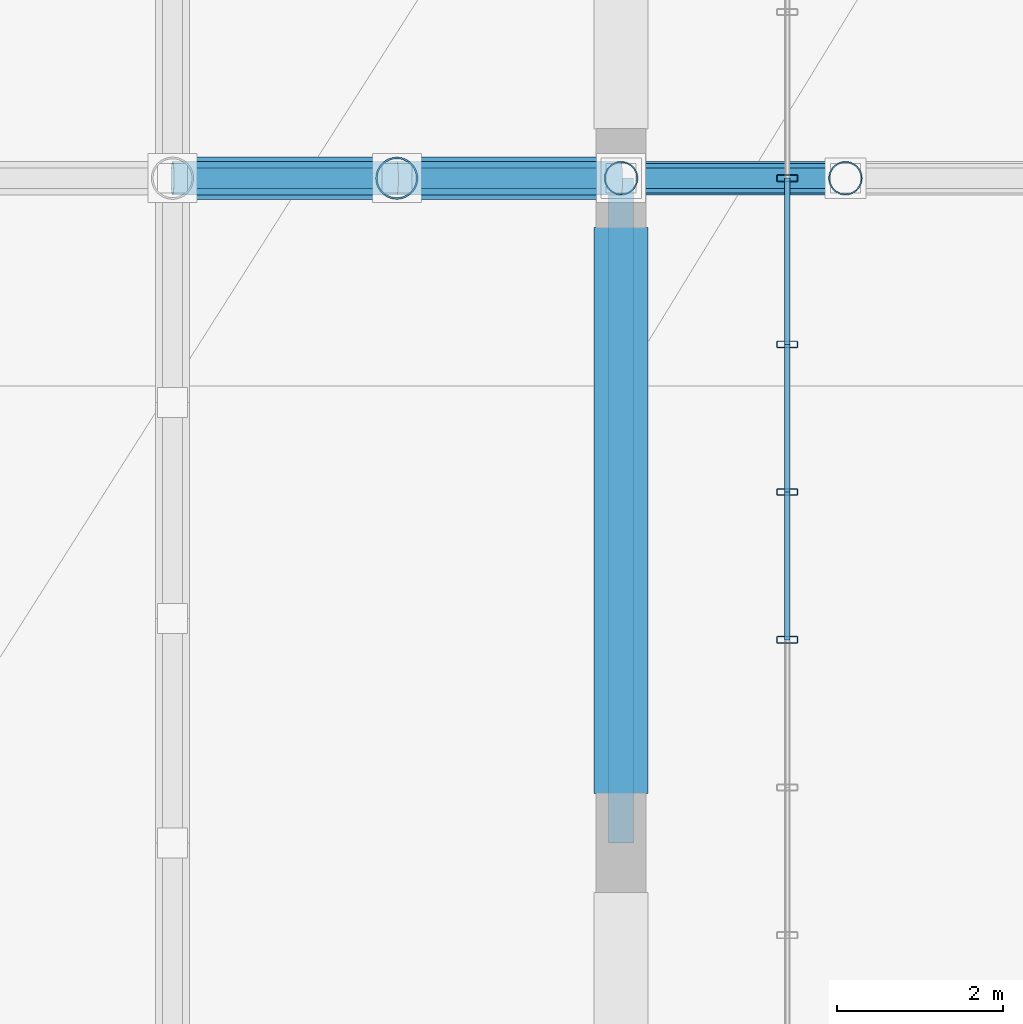
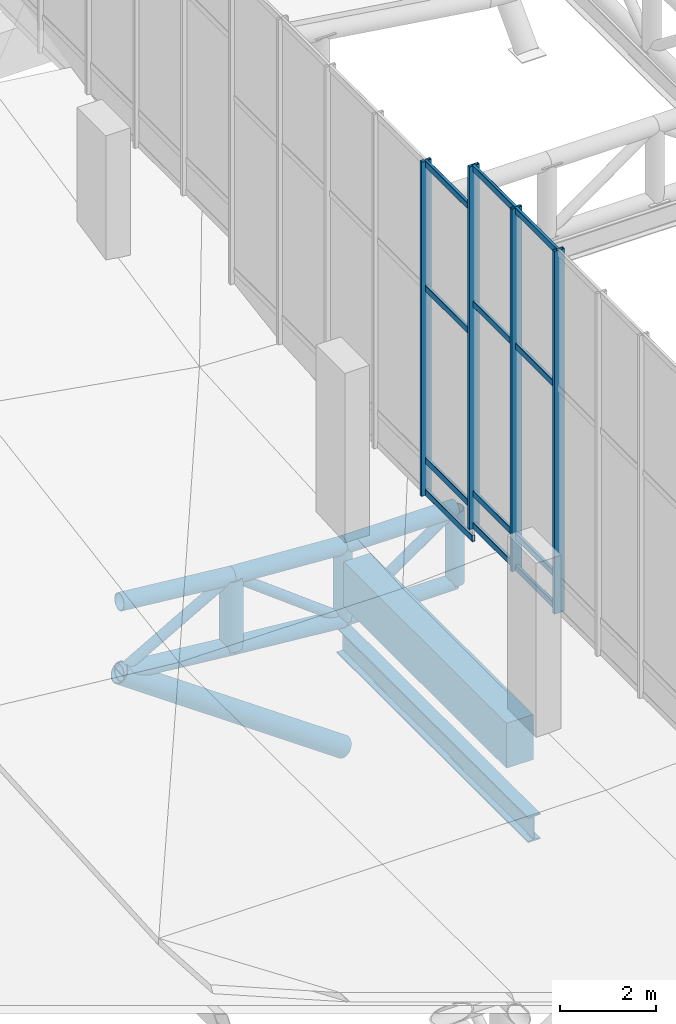
# One storey, part 36 of 137: 29 members, 2 beams, 2 elements without a shape of their own.
"""IFC4 building model written with IfcOpenShell, lengths in metres."""

from ifc_helpers import new_model, si_unit, direction, frame, origin, origin_2d, place, context, subcontext, project, spatial, rectangle, hollow_rectangle, hollow_circle, i_section, extrude, material, layer, layer_set, material_profile, profile_set, type_object, element, aggregate, save


model = new_model("IFC4")

# Units and contexts
model_context = context("Model", 3, precision=1e-05, world=origin(), true_north=direction((0.0, 1.0)))
body_context = subcontext(model_context, "Body", "Model", "MODEL_VIEW")
ifc_project = project(units=[si_unit("LENGTHUNIT", "METRE"), si_unit("AREAUNIT", "SQUARE_METRE"), si_unit("VOLUMEUNIT", "CUBIC_METRE"), si_unit("PLANEANGLEUNIT", "RADIAN"), si_unit("MASSUNIT", "GRAM", prefix="KILO")], contexts=[model_context])

# Site, building, storey
site_placement = place(None, origin())
site = spatial("IfcSite", under=ifc_project, at=site_placement, CompositionType="ELEMENT")
building_placement = place(site_placement, origin())
building = spatial("IfcBuilding", under=site, at=building_placement, Name="Khorjan Park Terminus", CompositionType="ELEMENT")
storey_placement = place(building_placement, frame((0.0, 0.0, 11.4)))
storey = spatial("IfcBuildingStorey", under=building, at=storey_placement, Name="L02", CompositionType="ELEMENT", Elevation=11.4)

# Members
ifc_material_1 = material(Name="Steel S355", Category="steel")
ifc_material_profile_1 = material_profile(ifc_material_1, hollow_circle(Radius=0.1222, WallThickness=0.0125, at=origin_2d()), Name="CHS 244.5x12.5")
ifc_profile_set_1 = profile_set([ifc_material_profile_1], Name="Steel S355")
member_type_1 = type_object("IfcMemberType", Name="MB-BR-245", PredefinedType="BRACE", material=ifc_profile_set_1)
member_1_placement = place(storey_placement, frame((48.0, 68.0, -1.92), z_axis=(0.822082565391, 0.0, 0.569368295289), x_axis=(0.0, 1.0, 0.0)))
element("IfcMember", 1, at=member_1_placement, inside=storey, type_object=member_type_1, Name="Lower shell W/E truss diagonal (W3)", PredefinedType="BRACE", context=body_context, shape_type="SweptSolid", body=[
    extrude(hollow_circle(Radius=0.1222, WallThickness=0.0125, at=origin_2d()), origin(), (0.0, 0.0, 1.0), 3.2843),
])
ifc_material_profile_2 = material_profile(ifc_material_1, hollow_circle(Radius=0.1222, WallThickness=0.0125, at=origin_2d()), Name="CHS 244.5x12.5")
ifc_profile_set_2 = profile_set([ifc_material_profile_2], Name="Steel S355")
member_type_2 = type_object("IfcMemberType", Name="MB-BRE-245", PredefinedType="BRACE", material=ifc_profile_set_2)
member_2_placement = place(storey_placement, frame((42.6, 68.0, -1.4106), z_axis=(0.869939252504, 0.0, 0.493158896253), x_axis=(0.0, 1.0, 0.0)))
element("IfcMember", 2, at=member_2_placement, inside=storey, type_object=member_type_2, Name="Lower shell W/E truss diagonal (W3)", PredefinedType="BRACE", context=body_context, shape_type="SweptSolid", body=[
    extrude(hollow_circle(Radius=0.1222, WallThickness=0.0125, at=origin_2d()), origin(), (0.0, 0.0, 1.0), 3.1037),
])
member_3_placement = place(storey_placement, frame((45.3, 68.0, 0.12), z_axis=(0.797867323922, 0.0, -0.602833089186), x_axis=(0.0, 1.0, 0.0)))
element("IfcMember", 3, at=member_3_placement, inside=storey, type_object=member_type_2, Name="Lower shell W/E truss diagonal (W3)", PredefinedType="BRACE", context=body_context, shape_type="SweptSolid", body=[
    extrude(hollow_circle(Radius=0.1222, WallThickness=0.0125, at=origin_2d()), origin(), (0.0, 0.0, 1.0), 3.384),
])
ifc_material_profile_3 = material_profile(ifc_material_1, hollow_circle(Radius=0.1778, WallThickness=0.016, at=origin_2d()), Name="CHS 355.6x16")
ifc_profile_set_3 = profile_set([ifc_material_profile_3], Name="Steel S355")
member_type_3 = type_object("IfcMemberType", Name="MB-CH-356", PredefinedType="CHORD", material=ifc_profile_set_3)
member_4_placement = place(storey_placement, frame((48.0, 68.0, -1.92), z_axis=(1.0, 0.0, 0.0), x_axis=(0.0, 1.0, 0.0)))
element("IfcMember", 4, at=member_4_placement, inside=storey, type_object=member_type_3, Name="Lower shell W/E truss bottom chord (W3)", PredefinedType="CHORD", context=body_context, shape_type="SweptSolid", body=[
    extrude(hollow_circle(Radius=0.1778, WallThickness=0.016, at=origin_2d()), origin(), (0.0, 0.0, 1.0), 2.7),
])
ifc_material_profile_4 = material_profile(ifc_material_1, hollow_circle(Radius=0.2032, WallThickness=0.016, at=origin_2d()), Name="CHS 406.4x16")
ifc_profile_set_4 = profile_set([ifc_material_profile_4], Name="Steel S355")
member_type_4 = type_object("IfcMemberType", Name="MB-CH-406", PredefinedType="CHORD", material=ifc_profile_set_4)
member_5_placement = place(storey_placement, frame((48.0, 68.0, -0.05), z_axis=(1.0, 0.0, 0.0), x_axis=(0.0, 1.0, 0.0)))
element("IfcMember", 5, at=member_5_placement, inside=storey, type_object=member_type_4, Name="Lower shell W/E truss top chord (W3)", PredefinedType="CHORD", context=body_context, shape_type="SweptSolid", body=[
    extrude(hollow_circle(Radius=0.2032, WallThickness=0.016, at=origin_2d()), origin(), (0.0, 0.0, 1.0), 2.7),
])
ifc_material_profile_5 = material_profile(ifc_material_1, hollow_circle(Radius=0.2032, WallThickness=0.016, at=origin_2d()), Name="CHS 406.4x16")
ifc_profile_set_5 = profile_set([ifc_material_profile_5], Name="Steel S355")
member_type_5 = type_object("IfcMemberType", Name="MB-CHE-406", PredefinedType="CHORD", material=ifc_profile_set_5)
for number, where, z_axis, x_axis, name in (
    (6, (42.6, 68.0, 0.3894), (0.995059059613, 0.0, -0.099284781726), (0.0, 1.0, 0.0), "Lower shell W/E truss top chord (W3)"),
    (7, (42.6, 68.0, -1.4106), (0.995059059613, 0.0, -0.099284781726), (0.0, 1.0, 0.0), "Lower shell W/E truss bottom chord (W3)"),
):
    element("IfcMember", number, at=place(storey_placement, frame(where, z_axis=z_axis, x_axis=x_axis)), inside=storey, type_object=member_type_5, Name=name, PredefinedType="CHORD", context=body_context, shape_type="SweptSolid", body=[
        extrude(hollow_circle(Radius=0.2032, WallThickness=0.016, at=origin_2d()), origin(), (0.0, 0.0, 1.0), 2.7134),
    ])
member_6_placement = place(storey_placement, frame((45.3, 68.0, 0.12), z_axis=(0.998023706726, 0.0, -0.062838529683), x_axis=(0.0, 1.0, 0.0)))
element("IfcMember", 8, at=member_6_placement, inside=storey, type_object=member_type_5, Name="Lower shell W/E truss top chord (W3)", PredefinedType="CHORD", context=body_context, shape_type="SweptSolid", body=[
    extrude(hollow_circle(Radius=0.2032, WallThickness=0.016, at=origin_2d()), origin(), (0.0, 0.0, 1.0), 2.7053),
])
member_7_placement = place(storey_placement, frame((45.3, 68.0, -1.68), z_axis=(0.996072640693, 0.0, -0.088539790284), x_axis=(0.0, 1.0, 0.0)))
element("IfcMember", 9, at=member_7_placement, inside=storey, type_object=member_type_5, Name="Lower shell W/E truss bottom chord (W3)", PredefinedType="CHORD", context=body_context, shape_type="SweptSolid", body=[
    extrude(hollow_circle(Radius=0.2032, WallThickness=0.016, at=origin_2d()), origin(), (0.0, 0.0, 1.0), 2.7106),
])
ifc_material_profile_6 = material_profile(ifc_material_1, hollow_circle(Radius=0.2032, WallThickness=0.016, at=origin_2d()), Name="CHS 406.4x16")
ifc_profile_set_6 = profile_set([ifc_material_profile_6], Name="Steel S355")
member_type_6 = type_object("IfcMemberType", Name="MB-ST-406", PredefinedType="STRUT", material=ifc_profile_set_6)
for number, where, z_axis, x_axis, name in (
    (10, (48.0, 68.0, -1.92), (0.0, 0.0, 1.0), (1.0, 0.0, 0.0), "Lower shell W/E truss post (W3)"),
    (11, (50.7, 68.0, -1.92), (0.0, 0.0, 1.0), (1.0, 0.0, 0.0), "Lower shell W/E truss post (W3)"),
):
    element("IfcMember", number, at=place(storey_placement, frame(where, z_axis=z_axis, x_axis=x_axis)), inside=storey, type_object=member_type_6, Name=name, PredefinedType="STRUT", context=body_context, shape_type="SweptSolid", body=[
        extrude(hollow_circle(Radius=0.2032, WallThickness=0.016, at=origin_2d()), origin(), (0.0, 0.0, 1.0), 1.87),
    ])
ifc_material_profile_7 = material_profile(ifc_material_1, hollow_circle(Radius=0.254, WallThickness=0.02, at=origin_2d()), Name="CHS 508x20")
ifc_profile_set_7 = profile_set([ifc_material_profile_7], Name="Steel S355")
member_type_7 = type_object("IfcMemberType", Name="MB-STE-508", PredefinedType="STRUT", material=ifc_profile_set_7)
member_8_placement = place(storey_placement, frame((45.3, 68.0, -1.68), z_axis=(0.0, 0.0, 1.0), x_axis=(1.0, 0.0, 0.0)))
element("IfcMember", 12, at=member_8_placement, inside=storey, type_object=member_type_7, Name="Lower shell W/E truss post (W3)", PredefinedType="STRUT", context=body_context, shape_type="SweptSolid", body=[
    extrude(hollow_circle(Radius=0.254, WallThickness=0.02, at=origin_2d()), origin(), (0.0, 0.0, 1.0), 1.8),
])
member_9_placement = place(storey_placement, frame((48.0, 68.0, -5.2), z_axis=(-0.818561944309, 0.0, 0.574418265142), x_axis=(0.0, -1.0, 0.0)))
element("IfcMember", 13, at=member_9_placement, inside=storey, type_object=member_type_7, Name="Lower shell W/E raked V-strut STE-51 (W3)", PredefinedType="STRUT", context=body_context, shape_type="SweptSolid", body=[
    extrude(hollow_circle(Radius=0.254, WallThickness=0.02, at=origin_2d()), origin(), (0.0, 0.0, 1.0), 6.5969),
])

# Curtain wall, members
ifc_material_2 = material(Name="Anodized Bronze Aluminium", Category="aluminium")
ifc_layer = layer(ifc_material_2, 0.22)
ifc_layer_set = layer_set([ifc_layer], Name="Anodized Bronze Aluminium")
curtain_wall_type = type_object("IfcCurtainWallType", Name="CW-CONC-CLR", PredefinedType="NOTDEFINED", material=ifc_layer_set)
curtain_wall_1_placement = place(storey_placement, origin())
curtain_wall_1 = element("IfcCurtainWall", 14, at=curtain_wall_1_placement, inside=storey, type_object=curtain_wall_type, Name="Unitized curtain wall CW-CL (CW-V2-W-CLR-03)", PredefinedType="NOTDEFINED")
ifc_material_profile_8 = material_profile(ifc_material_2, hollow_rectangle(XDim=0.08, YDim=0.25, WallThickness=0.005, InnerFilletRadius=0.005, OuterFilletRadius=0.01, at=origin_2d()), Name="ALM 80x250x5")
ifc_profile_set_8 = profile_set([ifc_material_profile_8], Name="Anodized Bronze Aluminium")
member_type_8 = type_object("IfcMemberType", Name="ML-ALM-250", PredefinedType="MULLION", material=ifc_profile_set_8)
member_10_placement = place(storey_placement, frame((50.0, 66.0, 0.915), z_axis=(0.0, 0.0, 1.0), x_axis=(0.0, -1.0, 0.0)))
member_10 = element("IfcMember", 15, at=member_10_placement, type_object=member_type_8, Name="Curtain-wall mullion ML-25 (CW-V2-W-CLR-03-0)", PredefinedType="MULLION", context=body_context, shape_type="SweptSolid", body=[
    extrude(hollow_rectangle(XDim=0.08, YDim=0.25, WallThickness=0.005, InnerFilletRadius=0.005, OuterFilletRadius=0.01, at=origin_2d()), origin(), (0.0, 0.0, 1.0), 9.2604),
])
member_11_placement = place(storey_placement, frame((50.0, 64.2222, 0.915), z_axis=(0.0, 0.0, 1.0), x_axis=(0.0, -1.0, 0.0)))
member_11 = element("IfcMember", 16, at=member_11_placement, type_object=member_type_8, Name="Curtain-wall mullion ML-25 (CW-V2-W-CLR-03-1)", PredefinedType="MULLION", context=body_context, shape_type="SweptSolid", body=[
    extrude(hollow_rectangle(XDim=0.08, YDim=0.25, WallThickness=0.005, InnerFilletRadius=0.005, OuterFilletRadius=0.01, at=origin_2d()), origin(), (0.0, 0.0, 1.0), 9.2604),
])
member_12_placement = place(storey_placement, frame((50.0, 62.4444, 0.915), z_axis=(0.0, 0.0, 1.0), x_axis=(0.0, -1.0, 0.0)))
member_12 = element("IfcMember", 17, at=member_12_placement, type_object=member_type_8, Name="Curtain-wall mullion ML-25 (CW-V2-W-CLR-03-2)", PredefinedType="MULLION", context=body_context, shape_type="SweptSolid", body=[
    extrude(hollow_rectangle(XDim=0.08, YDim=0.25, WallThickness=0.005, InnerFilletRadius=0.005, OuterFilletRadius=0.01, at=origin_2d()), origin(), (0.0, 0.0, 1.0), 9.2604),
])

# Curtain wall, member
curtain_wall_2_placement = place(storey_placement, origin())
curtain_wall_2 = element("IfcCurtainWall", 18, at=curtain_wall_2_placement, inside=storey, type_object=curtain_wall_type, Name="Unitized curtain wall CW-CL (CW-V2-W-CLR-04)", PredefinedType="NOTDEFINED")
member_13_placement = place(storey_placement, frame((50.0, 68.0, 0.555), z_axis=(0.0, 0.0, 1.0), x_axis=(0.0, -1.0, 0.0)))
member_13 = element("IfcMember", 19, at=member_13_placement, type_object=member_type_8, Name="Curtain-wall mullion ML-25 (CW-V2-W-CLR-04-4)", PredefinedType="MULLION", context=body_context, shape_type="SweptSolid", body=[
    extrude(hollow_rectangle(XDim=0.08, YDim=0.25, WallThickness=0.005, InnerFilletRadius=0.005, OuterFilletRadius=0.01, at=origin_2d()), origin(), (0.0, 0.0, 1.0), 8.5323),
])

# Beams
ifc_material_profile_9 = material_profile(ifc_material_1, i_section(OverallWidth=0.3, OverallDepth=0.65, WebThickness=0.016, FlangeThickness=0.031, FilletRadius=0.027, at=origin_2d()), Name="HEB 650")
ifc_profile_set_9 = profile_set([ifc_material_profile_9], Name="Steel S355")
beam_type_1 = type_object("IfcBeamType", Name="SP-HEB650E", PredefinedType="SPANDREL", material=ifc_profile_set_9)
beam_1_placement = place(storey_placement, frame((48.0, 60.0, -2.425), z_axis=(0.0, 1.0, 0.0), x_axis=(-1.0, 0.0, 0.0)))
element("IfcBeam", 20, at=beam_1_placement, inside=storey, type_object=beam_type_1, Name="Lower shell truss support girder SP-E65 (Y36)", PredefinedType="SPANDREL", context=body_context, shape_type="SweptSolid", body=[
    extrude(i_section(OverallWidth=0.3, OverallDepth=0.65, WebThickness=0.016, FlangeThickness=0.031, FilletRadius=0.027, at=origin_2d()), origin(), (0.0, 0.0, 1.0), 8.0),
])
ifc_material_3 = material(Name="Concrete C50/60", Category="concrete")
ifc_material_profile_10 = material_profile(ifc_material_3, rectangle(XDim=0.65, YDim=1.15, at=origin_2d()), Name="RC 650x1150")
ifc_profile_set_10 = profile_set([ifc_material_profile_10], Name="Concrete C50/60")
beam_type_2 = type_object("IfcBeamType", Name="SP-RC650x1150", PredefinedType="SPANDREL", material=ifc_profile_set_10)
beam_2_placement = place(storey_placement, frame((48.0, 60.595, -0.575), z_axis=(0.0, 1.0, 0.0), x_axis=(-1.0, 0.0, 0.0)))
element("IfcBeam", 21, at=beam_2_placement, inside=storey, type_object=beam_type_2, Name="Concourse lower colonnade ring beam SP-11 (L02-67)", PredefinedType="SPANDREL", context=body_context, shape_type="SweptSolid", body=[
    extrude(rectangle(XDim=0.65, YDim=1.15, at=origin_2d()), origin(), (0.0, 0.0, 1.0), 6.81),
])

# Member
ifc_material_profile_11 = material_profile(ifc_material_2, hollow_rectangle(XDim=0.07, YDim=0.16, WallThickness=0.004, InnerFilletRadius=0.004, OuterFilletRadius=0.008, at=origin_2d()), Name="ALT 70x160x4")
ifc_profile_set_11 = profile_set([ifc_material_profile_11], Name="Anodized Bronze Aluminium")
member_type_9 = type_object("IfcMemberType", Name="TR-ALT-160", PredefinedType="USERDEFINED", material=ifc_profile_set_11)
member_14_placement = place(storey_placement, frame((50.0, 66.0, 0.99), z_axis=(0.0, -1.0, 0.0), x_axis=(1.0, 0.0, 0.0)))
member_14 = element("IfcMember", 22, at=member_14_placement, type_object=member_type_9, Name="Curtain-wall transom TR-16 (CW-V2-W-CLR-03-0-1)", ObjectType="TRANSOM", PredefinedType="USERDEFINED", context=body_context, shape_type="SweptSolid", body=[
    extrude(hollow_rectangle(XDim=0.07, YDim=0.16, WallThickness=0.004, InnerFilletRadius=0.004, OuterFilletRadius=0.008, at=origin_2d()), origin(), (0.0, 0.0, 1.0), 1.7778),
])

member_15_placement = place(storey_placement, frame((50.0, 66.0, 1.8), z_axis=(0.0, -1.0, 0.0), x_axis=(1.0, 0.0, 0.0)))
member_15 = element("IfcMember", 23, at=member_15_placement, type_object=member_type_9, Name="Curtain-wall transom TR-16 (CW-V2-W-CLR-03-0-2)", ObjectType="TRANSOM", PredefinedType="USERDEFINED", context=body_context, shape_type="SweptSolid", body=[
    extrude(hollow_rectangle(XDim=0.07, YDim=0.16, WallThickness=0.004, InnerFilletRadius=0.004, OuterFilletRadius=0.008, at=origin_2d()), origin(), (0.0, 0.0, 1.0), 1.7778),
])

member_16_placement = place(storey_placement, frame((50.0, 66.0, 6.648), z_axis=(0.0, -1.0, 0.0), x_axis=(1.0, 0.0, 0.0)))
member_16 = element("IfcMember", 24, at=member_16_placement, type_object=member_type_9, Name="Curtain-wall transom TR-16 (CW-V2-W-CLR-03-0-3)", ObjectType="TRANSOM", PredefinedType="USERDEFINED", context=body_context, shape_type="SweptSolid", body=[
    extrude(hollow_rectangle(XDim=0.07, YDim=0.16, WallThickness=0.004, InnerFilletRadius=0.004, OuterFilletRadius=0.008, at=origin_2d()), origin(), (0.0, 0.0, 1.0), 1.7778),
])

member_17_placement = place(storey_placement, frame((50.0, 66.0, 10.1004), z_axis=(0.0, -1.0, 0.0), x_axis=(1.0, 0.0, 0.0)))
member_17 = element("IfcMember", 25, at=member_17_placement, type_object=member_type_9, Name="Curtain-wall transom TR-16 (CW-V2-W-CLR-03-0-4)", ObjectType="TRANSOM", PredefinedType="USERDEFINED", context=body_context, shape_type="SweptSolid", body=[
    extrude(hollow_rectangle(XDim=0.07, YDim=0.16, WallThickness=0.004, InnerFilletRadius=0.004, OuterFilletRadius=0.008, at=origin_2d()), origin(), (0.0, 0.0, 1.0), 1.7778),
])

member_18_placement = place(storey_placement, frame((50.0, 64.2222, 0.99), z_axis=(0.0, -1.0, 0.0), x_axis=(1.0, 0.0, 0.0)))
member_18 = element("IfcMember", 26, at=member_18_placement, type_object=member_type_9, Name="Curtain-wall transom TR-16 (CW-V2-W-CLR-03-1-1)", ObjectType="TRANSOM", PredefinedType="USERDEFINED", context=body_context, shape_type="SweptSolid", body=[
    extrude(hollow_rectangle(XDim=0.07, YDim=0.16, WallThickness=0.004, InnerFilletRadius=0.004, OuterFilletRadius=0.008, at=origin_2d()), origin(), (0.0, 0.0, 1.0), 1.7778),
])

member_19_placement = place(storey_placement, frame((50.0, 64.2222, 1.8), z_axis=(0.0, -1.0, 0.0), x_axis=(1.0, 0.0, 0.0)))
member_19 = element("IfcMember", 27, at=member_19_placement, type_object=member_type_9, Name="Curtain-wall transom TR-16 (CW-V2-W-CLR-03-1-2)", ObjectType="TRANSOM", PredefinedType="USERDEFINED", context=body_context, shape_type="SweptSolid", body=[
    extrude(hollow_rectangle(XDim=0.07, YDim=0.16, WallThickness=0.004, InnerFilletRadius=0.004, OuterFilletRadius=0.008, at=origin_2d()), origin(), (0.0, 0.0, 1.0), 1.7778),
])

member_20_placement = place(storey_placement, frame((50.0, 64.2222, 6.648), z_axis=(0.0, -1.0, 0.0), x_axis=(1.0, 0.0, 0.0)))
member_20 = element("IfcMember", 28, at=member_20_placement, type_object=member_type_9, Name="Curtain-wall transom TR-16 (CW-V2-W-CLR-03-1-3)", ObjectType="TRANSOM", PredefinedType="USERDEFINED", context=body_context, shape_type="SweptSolid", body=[
    extrude(hollow_rectangle(XDim=0.07, YDim=0.16, WallThickness=0.004, InnerFilletRadius=0.004, OuterFilletRadius=0.008, at=origin_2d()), origin(), (0.0, 0.0, 1.0), 1.7778),
])

member_21_placement = place(storey_placement, frame((50.0, 64.2222, 10.1004), z_axis=(0.0, -1.0, 0.0), x_axis=(1.0, 0.0, 0.0)))
member_21 = element("IfcMember", 29, at=member_21_placement, type_object=member_type_9, Name="Curtain-wall transom TR-16 (CW-V2-W-CLR-03-1-4)", ObjectType="TRANSOM", PredefinedType="USERDEFINED", context=body_context, shape_type="SweptSolid", body=[
    extrude(hollow_rectangle(XDim=0.07, YDim=0.16, WallThickness=0.004, InnerFilletRadius=0.004, OuterFilletRadius=0.008, at=origin_2d()), origin(), (0.0, 0.0, 1.0), 1.7778),
])

aggregate(curtain_wall_1, [member_10, member_11, member_12, member_14, member_15, member_16, member_17, member_18, member_19, member_20, member_21])

member_22_placement = place(storey_placement, frame((50.0, 68.0, 0.63), z_axis=(0.0, -1.0, 0.0), x_axis=(1.0, 0.0, 0.0)))
member_22 = element("IfcMember", 30, at=member_22_placement, type_object=member_type_9, Name="Curtain-wall transom TR-16 (CW-V2-W-CLR-04-4-1)", ObjectType="TRANSOM", PredefinedType="USERDEFINED", context=body_context, shape_type="SweptSolid", body=[
    extrude(hollow_rectangle(XDim=0.07, YDim=0.16, WallThickness=0.004, InnerFilletRadius=0.004, OuterFilletRadius=0.008, at=origin_2d()), origin(), (0.0, 0.0, 1.0), 2.0),
])

member_23_placement = place(storey_placement, frame((50.0, 68.0, 1.44), z_axis=(0.0, -1.0, 0.0), x_axis=(1.0, 0.0, 0.0)))
member_23 = element("IfcMember", 31, at=member_23_placement, type_object=member_type_9, Name="Curtain-wall transom TR-16 (CW-V2-W-CLR-04-4-2)", ObjectType="TRANSOM", PredefinedType="USERDEFINED", context=body_context, shape_type="SweptSolid", body=[
    extrude(hollow_rectangle(XDim=0.07, YDim=0.16, WallThickness=0.004, InnerFilletRadius=0.004, OuterFilletRadius=0.008, at=origin_2d()), origin(), (0.0, 0.0, 1.0), 2.0),
])

member_24_placement = place(storey_placement, frame((50.0, 68.0, 5.8366), z_axis=(0.0, -1.0, 0.0), x_axis=(1.0, 0.0, 0.0)))
member_24 = element("IfcMember", 32, at=member_24_placement, type_object=member_type_9, Name="Curtain-wall transom TR-16 (CW-V2-W-CLR-04-4-3)", ObjectType="TRANSOM", PredefinedType="USERDEFINED", context=body_context, shape_type="SweptSolid", body=[
    extrude(hollow_rectangle(XDim=0.07, YDim=0.16, WallThickness=0.004, InnerFilletRadius=0.004, OuterFilletRadius=0.008, at=origin_2d()), origin(), (0.0, 0.0, 1.0), 2.0),
])

member_25_placement = place(storey_placement, frame((50.0, 68.0, 9.0123), z_axis=(0.0, -1.0, 0.0), x_axis=(1.0, 0.0, 0.0)))
member_25 = element("IfcMember", 33, at=member_25_placement, type_object=member_type_9, Name="Curtain-wall transom TR-16 (CW-V2-W-CLR-04-4-4)", ObjectType="TRANSOM", PredefinedType="USERDEFINED", context=body_context, shape_type="SweptSolid", body=[
    extrude(hollow_rectangle(XDim=0.07, YDim=0.16, WallThickness=0.004, InnerFilletRadius=0.004, OuterFilletRadius=0.008, at=origin_2d()), origin(), (0.0, 0.0, 1.0), 2.0),
])

aggregate(curtain_wall_2, [member_13, member_22, member_23, member_24, member_25])

save(model, "model.ifc")
